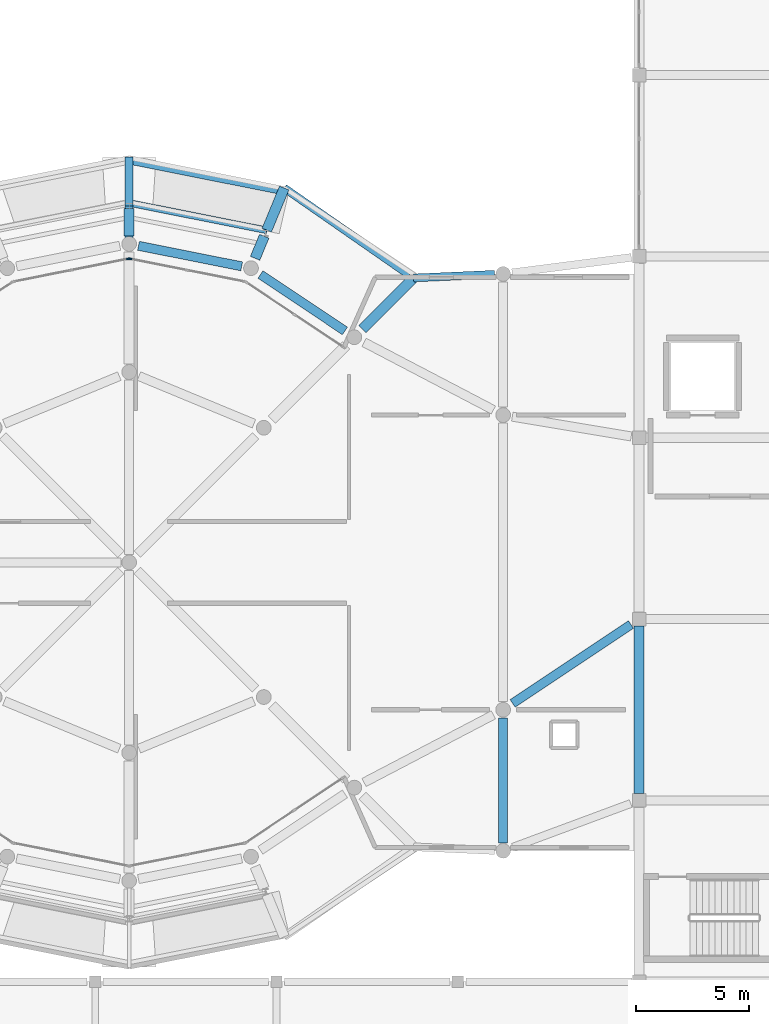
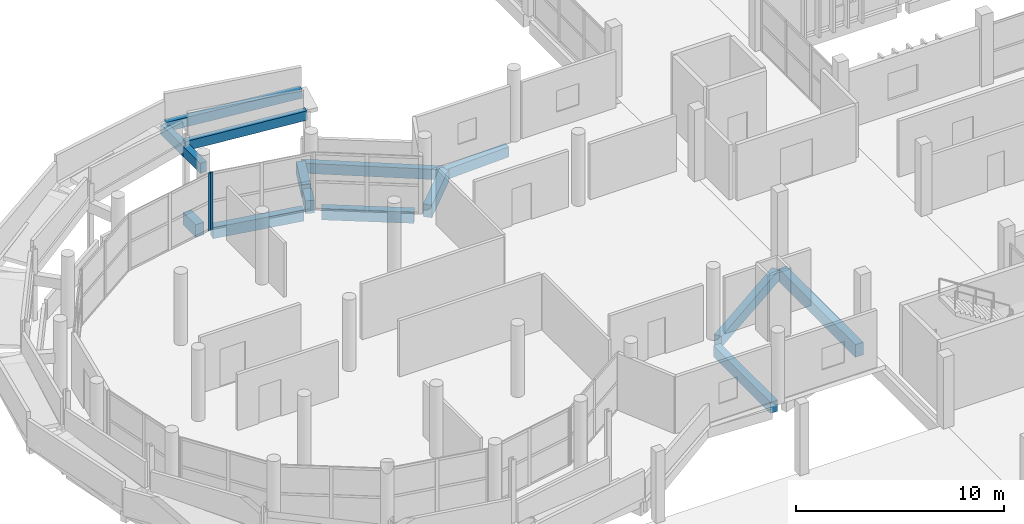
# One storey, part 18 of 137: 15 beams, 2 members, 2 elements without a shape of their own.
"""IFC4 building model written with IfcOpenShell, lengths in metres."""

from ifc_helpers import new_model, si_unit, direction, frame, origin, origin_2d, place, context, subcontext, project, spatial, rectangle, extrude, material, layer, layer_set, material_profile, profile_set, type_object, element, aggregate, save


model = new_model("IFC4")

# Units and contexts
model_context = context("Model", 3, precision=1e-05, world=origin(), true_north=direction((0.0, 1.0)))
body_context = subcontext(model_context, "Body", "Model", "MODEL_VIEW")
ifc_project = project(units=[si_unit("LENGTHUNIT", "METRE"), si_unit("AREAUNIT", "SQUARE_METRE"), si_unit("VOLUMEUNIT", "CUBIC_METRE"), si_unit("PLANEANGLEUNIT", "RADIAN"), si_unit("MASSUNIT", "GRAM", prefix="KILO")], contexts=[model_context])

# Site, building, storey
site_placement = place(None, origin())
site = spatial("IfcSite", under=ifc_project, at=site_placement, CompositionType="ELEMENT")
building_placement = place(site_placement, origin())
building = spatial("IfcBuilding", under=site, at=building_placement, Name="Jelvoka-Kovrelna Polytechnic", CompositionType="ELEMENT")
storey_placement = place(building_placement, frame((0.0, 0.0, 9.60009765625)))
storey = spatial("IfcBuildingStorey", under=building, at=storey_placement, Name="L03", CompositionType="ELEMENT", Elevation=9.60009765625)

# Beams
ifc_material_1 = material(Name="Concrete C35/45", Category="concrete")
ifc_material_profile_1 = material_profile(ifc_material_1, rectangle(XDim=0.35009765625, YDim=0.60009765625, at=origin_2d()), Name="RC 350x600")
ifc_profile_set_1 = profile_set([ifc_material_profile_1], Name="Concrete C35/45")
beam_type_1 = type_object("IfcBeamType", Name="Beam_RC_350x600", PredefinedType="BEAM", material=ifc_profile_set_1)
beam_1_placement = place(storey_placement, frame((25.5, 56.550048828125, 3.2548828125), z_axis=(0.0, 1.0, 0.0), x_axis=(-1.0, 0.0, 0.0)))
element("IfcBeam", 1, at=beam_1_placement, inside=storey, type_object=beam_type_1, Name="L03 spiral ramp inner tie beam 3.2", PredefinedType="BEAM", context=body_context, shape_type="SweptSolid", body=[
    extrude(rectangle(XDim=0.35009765625, YDim=0.60009765625, at=origin_2d()), origin(), (0.0, 0.0, 1.0), 1.669921875),
])
beam_2_placement = place(storey_placement, frame((25.5, 58.219970703125, 3.2548828125), z_axis=(0.0, 1.0, 0.0), x_axis=(-1.0, 0.0, 0.0)))
element("IfcBeam", 2, at=beam_2_placement, inside=storey, type_object=beam_type_1, Name="L03 spiral ramp cantilever bracket 3.2", PredefinedType="BEAM", context=body_context, shape_type="SweptSolid", body=[
    extrude(rectangle(XDim=0.35009765625, YDim=0.60009765625, at=origin_2d()), origin(), (0.0, 0.0, 1.0), 2.159912109375),
])
ifc_material_2 = material(Name="Concrete C40/50", Category="concrete")
ifc_material_profile_2 = material_profile(ifc_material_2, rectangle(XDim=0.39990234375, YDim=0.64990234375, at=origin_2d()), Name="RC 400x650")
ifc_profile_set_2 = profile_set([ifc_material_profile_2], Name="Concrete C40/50")
beam_type_2 = type_object("IfcBeamType", Name="Beam_RC_400x650", PredefinedType="BEAM", material=ifc_profile_set_2)
beam_3_placement = place(storey_placement, frame((35.01904296875, 52.712890625, -0.5751953125), z_axis=(-0.831496756319, 0.55552960698, 0.0), x_axis=(-0.55552960698, -0.831496756319, 0.0)))
element("IfcBeam", 3, at=beam_3_placement, inside=storey, type_object=beam_type_2, Name="L03 beam 2484", PredefinedType="BEAM", context=body_context, shape_type="SweptSolid", body=[
    extrude(rectangle(XDim=0.39990234375, YDim=0.64990234375, at=origin_2d()), origin(), (0.0, 0.0, 1.0), 4.481689453125),
])
beam_4_placement = place(storey_placement, frame((30.4638671875, 55.5625, -0.5751953125), z_axis=(-0.980774461066, 0.195144706619, 0.0), x_axis=(-0.195144706619, -0.980774461066, 0.0)))
element("IfcBeam", 4, at=beam_4_placement, inside=storey, type_object=beam_type_2, Name="L03 beam 2485", PredefinedType="BEAM", context=body_context, shape_type="SweptSolid", body=[
    extrude(rectangle(XDim=0.39990234375, YDim=0.64990234375, at=origin_2d()), origin(), (0.0, 0.0, 1.0), 4.64013671875),
])
beam_5_placement = place(storey_placement, frame((42.416015625, 36.27734375, -0.5751953125), z_axis=(0.832056274885, 0.5546912253, 0.0), x_axis=(-0.5546912253, 0.832056274885, 0.0)))
element("IfcBeam", 5, at=beam_5_placement, inside=storey, type_object=beam_type_2, Name="L03 beam 2528", PredefinedType="BEAM", context=body_context, shape_type="SweptSolid", body=[
    extrude(rectangle(XDim=0.39990234375, YDim=0.64990234375, at=origin_2d()), origin(), (0.0, 0.0, 1.0), 6.2802734375),
])
beam_6_placement = place(storey_placement, frame((42.0, 30.127197265625, -0.5751953125), z_axis=(0.0, 1.0, 0.0), x_axis=(-1.0, 0.0, 0.0)))
element("IfcBeam", 6, at=beam_6_placement, inside=storey, type_object=beam_type_2, Name="L03 beam 2529", PredefinedType="BEAM", context=body_context, shape_type="SweptSolid", body=[
    extrude(rectangle(XDim=0.39990234375, YDim=0.64990234375, at=origin_2d()), origin(), (0.0, 0.0, 1.0), 5.517822265625),
])
ifc_material_3 = material(Name="Concrete C40/50", Category="concrete")
ifc_material_profile_3 = material_profile(ifc_material_3, rectangle(XDim=0.449951171875, YDim=0.75, at=origin_2d()), Name="RC 450x750")
ifc_profile_set_3 = profile_set([ifc_material_profile_3], Name="Concrete C40/50")
beam_type_3 = type_object("IfcBeamType", Name="Beam_RC_450x750", PredefinedType="BEAM", material=ifc_profile_set_3)
beam_7_placement = place(storey_placement, frame((48.0, 32.304931640625, -0.64013671875), z_axis=(0.0, 1.0, 0.0), x_axis=(-1.0, 0.0, 0.0)))
element("IfcBeam", 7, at=beam_7_placement, inside=storey, type_object=beam_type_3, Name="L03 beam 1097", PredefinedType="BEAM", context=body_context, shape_type="SweptSolid", body=[
    extrude(rectangle(XDim=0.449951171875, YDim=0.75, at=origin_2d()), origin(), (0.0, 0.0, 1.0), 7.39013671875),
])
beam_8_placement = place(storey_placement, frame((35.7958984375, 52.7958984375, -0.625), z_axis=(0.707106781187, 0.707106781187, 0.0), x_axis=(-0.707106781187, 0.707106781187, 0.0)))
element("IfcBeam", 8, at=beam_8_placement, inside=storey, type_object=beam_type_3, Name="L03 beam 2496", PredefinedType="BEAM", context=body_context, shape_type="SweptSolid", body=[
    extrude(rectangle(XDim=0.449951171875, YDim=0.75, at=origin_2d()), origin(), (0.0, 0.0, 1.0), 3.189208984375),
])
beam_9_placement = place(storey_placement, frame((31.056396484375, 55.914794921875, -0.625), z_axis=(0.382822216634, 0.923822033971, 0.0), x_axis=(-0.923822033971, 0.382822216634, 0.0)))
element("IfcBeam", 9, at=beam_9_placement, inside=storey, type_object=beam_type_3, Name="L03 beam 2497", PredefinedType="BEAM", context=body_context, shape_type="SweptSolid", body=[
    extrude(rectangle(XDim=0.449951171875, YDim=0.75, at=origin_2d()), origin(), (0.0, 0.0, 1.0), 1.05419921875),
])
beam_10_placement = place(storey_placement, frame((31.571533203125, 57.158203125, -0.625), z_axis=(0.38266938507, 0.923885350966, 0.0), x_axis=(-0.923885350966, 0.38266938507, 0.0)))
element("IfcBeam", 10, at=beam_10_placement, inside=storey, type_object=beam_type_3, Name="L03 beam 2498", PredefinedType="BEAM", context=body_context, shape_type="SweptSolid", body=[
    extrude(rectangle(XDim=0.449951171875, YDim=0.75, at=origin_2d()), origin(), (0.0, 0.0, 1.0), 2.01416015625),
])
beam_11_placement = place(storey_placement, frame((25.5, 56.905029296875, -0.625), z_axis=(0.0, 1.0, 0.0), x_axis=(-1.0, 0.0, 0.0)))
element("IfcBeam", 11, at=beam_11_placement, inside=storey, type_object=beam_type_3, Name="L03 beam 2499", PredefinedType="BEAM", context=body_context, shape_type="SweptSolid", body=[
    extrude(rectangle(XDim=0.449951171875, YDim=0.75, at=origin_2d()), origin(), (0.0, 0.0, 1.0), 1.2080078125),
])

# Curtain wall, member
ifc_material_4 = material(Name="Anodised aluminium 6063-T6", Category="aluminium")
ifc_layer = layer(ifc_material_4, 0.179931640625)
ifc_layer_set = layer_set([ifc_layer], Name="Anodised aluminium 6063-T6")
curtain_wall_type = type_object("IfcCurtainWallType", Name="CW_Pavilion", PredefinedType="NOTDEFINED", material=ifc_layer_set)
curtain_wall_1_placement = place(storey_placement, origin())
curtain_wall_1 = element("IfcCurtainWall", 12, at=curtain_wall_1_placement, inside=storey, type_object=curtain_wall_type, Name="L03 glazed curtain wall 234", PredefinedType="NOTDEFINED")
ifc_material_5 = material(Name="Anodised aluminium 6063-T6", Category="aluminium")
ifc_material_profile_4 = material_profile(ifc_material_5, rectangle(XDim=0.06494140625, YDim=0.179931640625, at=origin_2d()), Name="ALU 65x180")
ifc_profile_set_4 = profile_set([ifc_material_profile_4], Name="Anodised aluminium 6063-T6")
member_type = type_object("IfcMemberType", Name="Mullion_M-05", PredefinedType="MULLION", material=ifc_profile_set_4)
member_1_placement = place(storey_placement, frame((25.531982421875, 55.8935546875, -0.02490234375), z_axis=(0.0, 0.0, 1.0), x_axis=(0.195086160371, 0.980786108197, 0.0)))
member_1 = element("IfcMember", 13, at=member_1_placement, type_object=member_type, Name="CW-05 mullion 1", PredefinedType="MULLION", context=body_context, shape_type="SweptSolid", body=[
    extrude(rectangle(XDim=0.06494140625, YDim=0.179931640625, at=origin_2d()), origin(), (0.0, 0.0, 1.0), 3.39990234375),
])
aggregate(curtain_wall_1, [member_1])

curtain_wall_2_placement = place(storey_placement, origin())
curtain_wall_2 = element("IfcCurtainWall", 14, at=curtain_wall_2_placement, inside=storey, type_object=curtain_wall_type, Name="L03 glazed curtain wall 235", PredefinedType="NOTDEFINED")
member_2_placement = place(storey_placement, frame((25.468017578125, 55.8935546875, -0.02490234375), z_axis=(0.0, 0.0, 1.0), x_axis=(-0.195086160371, 0.980786108197, 0.0)))
member_2 = element("IfcMember", 15, at=member_2_placement, type_object=member_type, Name="CW-05 mullion 3", PredefinedType="MULLION", context=body_context, shape_type="SweptSolid", body=[
    extrude(rectangle(XDim=0.06494140625, YDim=0.179931640625, at=origin_2d()), origin(), (0.0, 0.0, 1.0), 3.39990234375),
])
aggregate(curtain_wall_2, [member_2])

# Beams
ifc_material_6 = material(Name="Concrete C40/50", Category="concrete")
ifc_material_profile_5 = material_profile(ifc_material_6, rectangle(XDim=0.300048828125, YDim=0.550048828125, at=origin_2d()), Name="RC 300x550")
ifc_profile_set_5 = profile_set([ifc_material_profile_5], Name="Concrete C40/50")
beam_type_4 = type_object("IfcBeamType", Name="Spandrel_RC_300x550", PredefinedType="SPANDREL", material=ifc_profile_set_5)
beam_12_placement = place(storey_placement, frame((25.5, 60.219970703125, 3.5048828125), z_axis=(0.978981323396, -0.194731848062, 0.060622403379), x_axis=(0.195090664524, 0.980785212274, 0.0)))
element("IfcBeam", 16, at=beam_12_placement, inside=storey, type_object=beam_type_4, Name="L03 spiral ramp curved outer stringer 3.2", PredefinedType="SPANDREL", context=body_context, shape_type="SweptSolid", body=[
    extrude(rectangle(XDim=0.300048828125, YDim=0.550048828125, at=origin_2d()), origin(), (0.0, 0.0, 1.0), 6.9267578125),
])
beam_13_placement = place(storey_placement, frame((25.5, 58.360107421875, 3.5048828125), z_axis=(0.978527145192, -0.194682029772, 0.067701797656), x_axis=(0.195129735209, 0.980777439808, 0.0)))
element("IfcBeam", 17, at=beam_13_placement, inside=storey, type_object=beam_type_4, Name="L03 spiral ramp curved inner stringer 3.2", PredefinedType="SPANDREL", context=body_context, shape_type="SweptSolid", body=[
    extrude(rectangle(XDim=0.300048828125, YDim=0.550048828125, at=origin_2d()), origin(), (0.0, 0.0, 1.0), 6.20263671875),
])
ifc_material_7 = material(Name="Concrete C40/50", Category="concrete")
ifc_material_profile_6 = material_profile(ifc_material_7, rectangle(XDim=0.35009765625, YDim=0.60009765625, at=origin_2d()), Name="RC 350x600")
ifc_profile_set_6 = profile_set([ifc_material_profile_6], Name="Concrete C40/50")
beam_type_5 = type_object("IfcBeamType", Name="Spandrel_RC_350x600", PredefinedType="SPANDREL", material=ifc_profile_set_6)
beam_14_placement = place(storey_placement, frame((38.051025390625, 55.051025390625, -0.550048828125), z_axis=(-0.821126306312, 0.570746519116, 0.0), x_axis=(-0.570746519116, -0.821126306312, 0.0)))
element("IfcBeam", 18, at=beam_14_placement, inside=storey, type_object=beam_type_5, Name="L03 beam 2511", PredefinedType="SPANDREL", context=body_context, shape_type="SweptSolid", body=[
    extrude(rectangle(XDim=0.35009765625, YDim=0.60009765625, at=origin_2d()), origin(), (0.0, 0.0, 1.0), 6.952392578125),
])
beam_15_placement = place(storey_placement, frame((38.051025390625, 55.051025390625, -0.550048828125), z_axis=(0.998999645375, 0.04471810081, 0.0), x_axis=(-0.04471810081, 0.998999645375, 0.0)))
element("IfcBeam", 19, at=beam_15_placement, inside=storey, type_object=beam_type_5, Name="L03 beam 2521", PredefinedType="SPANDREL", context=body_context, shape_type="SweptSolid", body=[
    extrude(rectangle(XDim=0.35009765625, YDim=0.60009765625, at=origin_2d()), origin(), (0.0, 0.0, 1.0), 3.58154296875),
])

save(model, "model.ifc")
